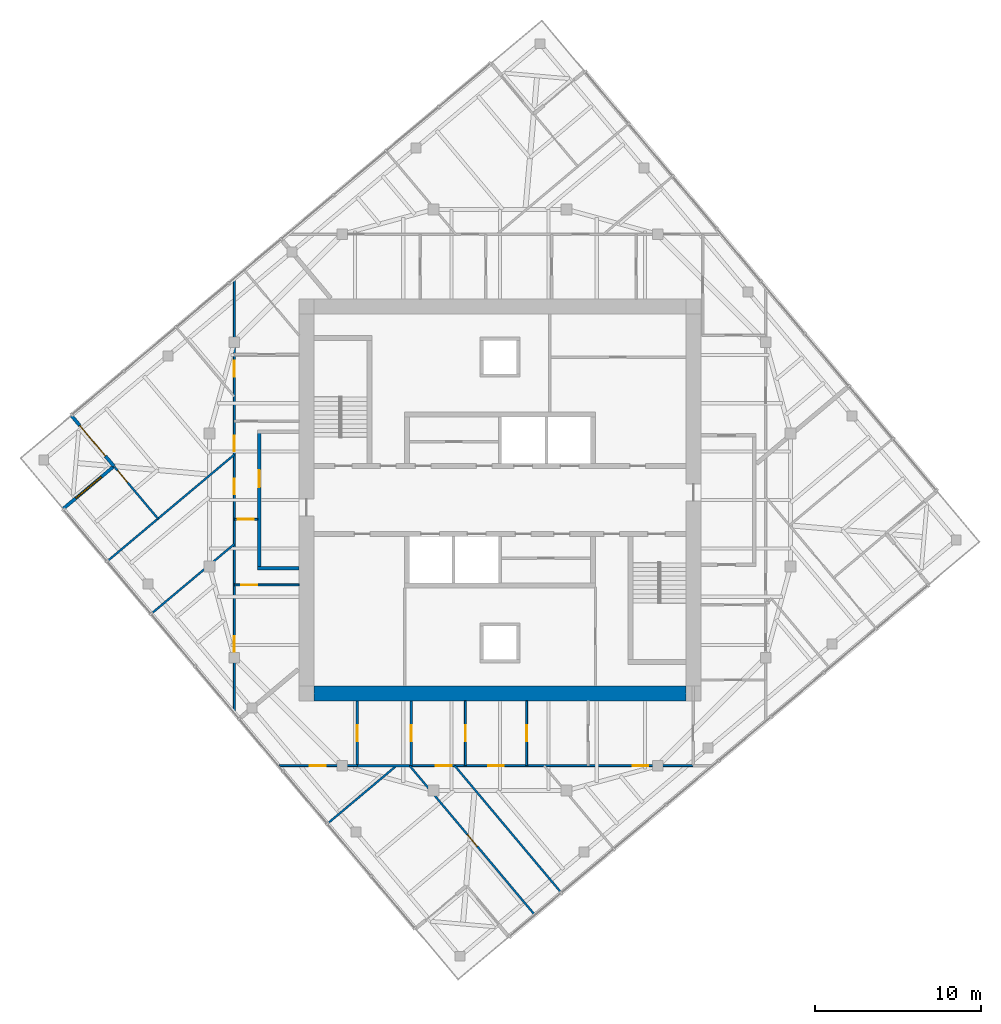
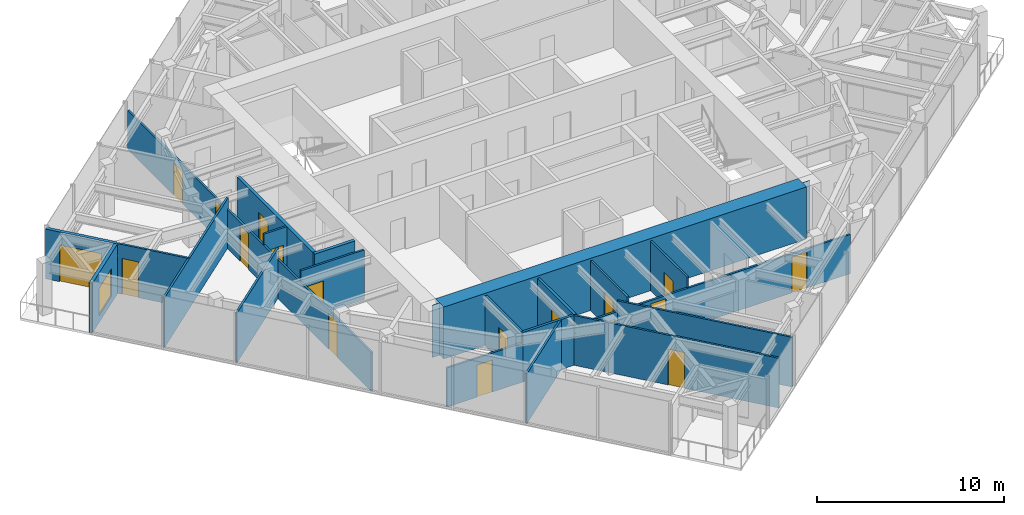
# One storey, part 7 of 12: 21 walls, 18 doors, 1 window, 19 openings.
"""IFC4 building model written with IfcOpenShell, lengths in metres."""

from ifc_helpers import new_model, si_unit, direction, frame, frame_2d, origin, place, context, subcontext, project, spatial, polyline, rectangle, outline, extrude, material, layer, layer_set, type_object, element, fill, save


model = new_model("IFC4")

# Units and contexts
model_context = context("Model", 3, precision=1e-05, world=origin(), true_north=direction((0.0, 1.0)))
body_context = subcontext(model_context, "Body", "Model", "MODEL_VIEW")
ifc_project = project(units=[si_unit("LENGTHUNIT", "METRE"), si_unit("AREAUNIT", "SQUARE_METRE"), si_unit("VOLUMEUNIT", "CUBIC_METRE"), si_unit("PLANEANGLEUNIT", "RADIAN"), si_unit("MASSUNIT", "GRAM", prefix="KILO")], contexts=[model_context])

# Site, building, storey
site_placement = place(None, origin())
site = spatial("IfcSite", under=ifc_project, at=site_placement, CompositionType="ELEMENT")
building_placement = place(site_placement, origin())
building = spatial("IfcBuilding", under=site, at=building_placement, Name="Torsade Residences", CompositionType="ELEMENT")
storey_placement = place(building_placement, frame((0.0, 0.0, 286.199951171875)))
storey = spatial("IfcBuildingStorey", under=building, at=storey_placement, Name="L79", CompositionType="ELEMENT", Elevation=286.199951171875)

# Wall
ifc_material_1 = material(Name="Concrete 80 MPa", Category="concrete")
ifc_layer_1 = layer(ifc_material_1, 0.89990234375)
ifc_layer_set_1 = layer_set([ifc_layer_1], Name="Concrete 80 MPa")
wall_type_1 = type_object("IfcWallType", Name="CORE WALL 900", PredefinedType="SHEAR", material=ifc_layer_set_1)
wall_1_placement = place(storey_placement, frame((51.199951171875, 18.35009765625, 0.0), z_axis=(0.0, 0.0, 1.0), x_axis=(-1.0, 0.0, 0.0)))
element("IfcWall", 1, at=wall_1_placement, inside=storey, type_object=wall_type_1, Name="Core wall S L79", PredefinedType="SHEAR", context=body_context, shape_type="SweptSolid", body=[
    extrude(outline(polyline([(0.0, -0.449951171875), (22.39990234375, -0.449951171875), (22.39990234375, -0.02490234375), (22.849853515625, -0.02490234375), (22.849853515625, 0.02490234375), (22.39990234375, 0.02490234375), (22.39990234375, 0.449951171875), (0.0, 0.449951171875), (0.0, 0.02490234375), (-0.449951171875, 0.02490234375), (-0.449951171875, -0.02490234375), (0.0, -0.02490234375), (0.0, -0.449951171875)])), origin(), (0.0, 0.0, 1.0), 3.400146484375),
])

# Wall, opening, door
ifc_material_2 = material(Name="Plasterboard on steel stud", Category="steel")
ifc_layer_2 = layer(ifc_material_2, 0.199951171875)
ifc_layer_set_2 = layer_set([ifc_layer_2], Name="Plasterboard on steel stud")
wall_type_2 = type_object("IfcWallType", Name="CORRIDOR WALL 200", PredefinedType="PARTITIONING", material=ifc_layer_set_2)
wall_2_placement = place(storey_placement, frame((25.5, 25.89990234375, 0.0), z_axis=(0.0, 0.0, 1.0), x_axis=(0.0, 1.0, 0.0)))
wall_2 = element("IfcWall", 2, at=wall_2_placement, inside=storey, type_object=wall_type_2, Name="Corridor wall L79", PredefinedType="PARTITIONING", context=body_context, shape_type="SweptSolid", body=[
    extrude(rectangle(XDim=8.2001953125, YDim=0.199951171875, at=frame_2d((4.10009765625, 0.0))), origin(), (0.0, 0.0, 1.0), 3.25),
])
opening_1_placement = place(wall_2_placement, frame((4.88232421875, 0.0, 0.0)))
opening_1 = element("IfcOpeningElement", 3, at=opening_1_placement, cuts=wall_2, Name="Opening D01", PredefinedType="OPENING", context=body_context, shape_type="SweptSolid", body=[
    extrude(rectangle(XDim=1.02001953125, YDim=2.340087890625, at=frame_2d((0.510009765625, 1.169921875))), frame((0.0, 0.10986328125, 0.0), z_axis=(0.0, -1.0, 0.0), x_axis=(1.0, 0.0, 0.0)), (0.0, 0.0, 1.0), 0.219970703125),
])
ifc_material_3 = material(Name="Solid-core timber fire door", Category="wood")
door_type_1 = type_object("IfcDoorType", Name="APARTMENT ENTRY DOOR 1020x2340", OperationType="NOTDEFINED", PredefinedType="DOOR", material=ifc_material_3)
door_1_placement = place(opening_1_placement, origin())
door_1 = element("IfcDoor", 4, at=door_1_placement, inside=storey, type_object=door_type_1, Name="Door Residential corridor to Kitchen and dining", OperationType="SINGLE_SWING_LEFT", OverallHeight=2.340087890625, OverallWidth=1.02001953125, PredefinedType="DOOR", context=body_context, shape_type="SweptSolid", body=[
    extrude(rectangle(XDim=1.02001953125, YDim=2.340087890625, at=frame_2d((0.510009765625, 1.169921875))), frame((0.0, 0.02490234375, 0.0), z_axis=(0.0, -1.0, 0.0), x_axis=(1.0, 0.0, 0.0)), (0.0, 0.0, 1.0), 0.050048828125),
])
fill(opening_1, door_1)

# Wall
wall_3_placement = place(storey_placement, frame((27.89990234375, 25.89990234375, 0.0), z_axis=(0.0, 0.0, 1.0), x_axis=(-1.0, 0.0, 0.0)))
element("IfcWall", 5, at=wall_3_placement, inside=storey, type_object=wall_type_2, Name="Corridor wall L79", PredefinedType="PARTITIONING", context=body_context, shape_type="SweptSolid", body=[
    extrude(rectangle(XDim=2.5, YDim=0.199951171875, at=frame_2d((1.25, 0.0))), origin(), (0.0, 0.0, 1.0), 3.25),
])

# Wall, opening, door
ifc_material_4 = material(Name="Plasterboard on steel stud", Category="steel")
ifc_layer_3 = layer(ifc_material_4, 0.1201171875)
ifc_layer_set_3 = layer_set([ifc_layer_3], Name="Plasterboard on steel stud")
wall_type_3 = type_object("IfcWallType", Name="PARTITION 120", PredefinedType="PARTITIONING", material=ifc_layer_set_3)
wall_4_placement = place(storey_placement, frame((31.410400390625, 14.0, 0.0), z_axis=(0.0, 0.0, 1.0), x_axis=(-1.0, 0.0, 0.0)))
wall_4 = element("IfcWall", 6, at=wall_4_placement, inside=storey, type_object=wall_type_3, Name="Partition L79", PredefinedType="PARTITIONING", context=body_context, shape_type="SweptSolid", body=[
    extrude(rectangle(XDim=4.693359375, YDim=0.1201171875, at=frame_2d((2.3466796875, 0.0))), origin(), (0.0, 0.0, 1.0), 2.550048828125),
])
opening_2_placement = place(wall_4_placement, frame((1.892822265625, 0.0, 0.0)))
opening_2 = element("IfcOpeningElement", 7, at=opening_2_placement, cuts=wall_4, Name="Opening D05", PredefinedType="OPENING", context=body_context, shape_type="SweptSolid", body=[
    extrude(rectangle(XDim=0.9599609375, YDim=2.10009765625, at=frame_2d((0.47998046875, 1.050048828125))), frame((0.0, 0.070068359375, 0.0), z_axis=(0.0, -1.0, 0.0), x_axis=(1.0, 0.0, 0.0)), (0.0, 0.0, 1.0), 0.14013671875),
])
ifc_material_5 = material(Name="Hollow-core timber door in a steel cavity frame", Category="steel")
door_type_2 = type_object("IfcDoorType", Name="BATHROOM CAVITY SLIDING DOOR 960", OperationType="SLIDING_TO_LEFT", PredefinedType="DOOR", material=ifc_material_5)
door_2_placement = place(opening_2_placement, origin())
door_2 = element("IfcDoor", 8, at=door_2_placement, inside=storey, type_object=door_type_2, Name="Door Bathroom to Media room", OperationType="SLIDING_TO_LEFT", OverallHeight=2.10009765625, OverallWidth=0.9599609375, PredefinedType="DOOR", context=body_context, shape_type="SweptSolid", body=[
    extrude(rectangle(XDim=0.9599609375, YDim=2.10009765625, at=frame_2d((0.47998046875, 1.050048828125))), frame((0.0, 0.02490234375, 0.0), z_axis=(0.0, -1.0, 0.0), x_axis=(1.0, 0.0, 0.0)), (0.0, 0.0, 1.0), 0.050048828125),
])
fill(opening_2, door_2)

wall_5_placement = place(storey_placement, frame((37.9189453125, 17.89990234375, 0.0), z_axis=(0.0, 0.0, 1.0), x_axis=(0.0, -1.0, 0.0)))
wall_5 = element("IfcWall", 9, at=wall_5_placement, inside=storey, type_object=wall_type_3, Name="Partition L79", PredefinedType="PARTITIONING", context=body_context, shape_type="SweptSolid", body=[
    extrude(rectangle(XDim=3.89990234375, YDim=0.1201171875, at=frame_2d((1.949951171875, 0.0))), origin(), (0.0, 0.0, 1.0), 3.25),
])
opening_3_placement = place(wall_5_placement, frame((1.469970703125, 0.0, 0.0)))
opening_3 = element("IfcOpeningElement", 10, at=opening_3_placement, cuts=wall_5, Name="Opening D05", PredefinedType="OPENING", context=body_context, shape_type="SweptSolid", body=[
    extrude(rectangle(XDim=0.9599609375, YDim=2.10009765625, at=frame_2d((0.47998046875, 1.050048828125))), frame((0.0, 0.070068359375, 0.0), z_axis=(0.0, -1.0, 0.0), x_axis=(1.0, 0.0, 0.0)), (0.0, 0.0, 1.0), 0.14013671875),
])
door_3_placement = place(opening_3_placement, origin())
door_3 = element("IfcDoor", 11, at=door_3_placement, inside=storey, type_object=door_type_2, Name="Door Dressing room 2 to WC", OperationType="SLIDING_TO_LEFT", OverallHeight=2.10009765625, OverallWidth=0.9599609375, PredefinedType="DOOR", context=body_context, shape_type="SweptSolid", body=[
    extrude(rectangle(XDim=0.9599609375, YDim=2.10009765625, at=frame_2d((0.47998046875, 1.050048828125))), frame((0.0, 0.02490234375, 0.0), z_axis=(0.0, -1.0, 0.0), x_axis=(1.0, 0.0, 0.0)), (0.0, 0.0, 1.0), 0.050048828125),
])
fill(opening_3, door_3)

# Wall, openings, doors
wall_6_placement = place(storey_placement, frame((51.624755859375, 14.0, 0.0), z_axis=(0.0, 0.0, 1.0), x_axis=(-1.0, 0.0, 0.0)))
wall_6 = element("IfcWall", 12, at=wall_6_placement, inside=storey, type_object=wall_type_3, Name="Partition L79", PredefinedType="PARTITIONING", context=body_context, shape_type="SweptSolid", body=[
    extrude(rectangle(XDim=17.06689453125, YDim=0.1201171875, at=frame_2d((8.533447265625, 0.0))), origin(), (0.0, 0.0, 1.0), 2.550048828125),
])
opening_4_placement = place(wall_6_placement, frame((2.701904296875, 0.0, 0.0)))
opening_4 = element("IfcOpeningElement", 13, at=opening_4_placement, cuts=wall_6, Name="Opening D02", PredefinedType="OPENING", context=body_context, shape_type="SweptSolid", body=[
    extrude(rectangle(XDim=0.919921875, YDim=2.340087890625, at=frame_2d((0.4599609375, 1.169921875))), frame((0.0, 0.070068359375, 0.0), z_axis=(0.0, -1.0, 0.0), x_axis=(1.0, 0.0, 0.0)), (0.0, 0.0, 1.0), 0.14013671875),
])
opening_5_placement = place(wall_6_placement, frame((11.400146484375, 0.0, 0.0)))
opening_5 = element("IfcOpeningElement", 14, at=opening_5_placement, cuts=wall_6, Name="Opening D02", PredefinedType="OPENING", context=body_context, shape_type="SweptSolid", body=[
    extrude(rectangle(XDim=0.919921875, YDim=2.340087890625, at=frame_2d((0.4599609375, 1.169921875))), frame((0.0, 0.070068359375, 0.0), z_axis=(0.0, -1.0, 0.0), x_axis=(1.0, 0.0, 0.0)), (0.0, 0.0, 1.0), 0.14013671875),
])
opening_6_placement = place(wall_6_placement, frame((14.544189453125, 0.0, 0.0)))
opening_6 = element("IfcOpeningElement", 15, at=opening_6_placement, cuts=wall_6, Name="Opening D05", PredefinedType="OPENING", context=body_context, shape_type="SweptSolid", body=[
    extrude(rectangle(XDim=0.9599609375, YDim=2.10009765625, at=frame_2d((0.47998046875, 1.050048828125))), frame((0.0, 0.070068359375, 0.0), z_axis=(0.0, -1.0, 0.0), x_axis=(1.0, 0.0, 0.0)), (0.0, 0.0, 1.0), 0.14013671875),
])
door_4_placement = place(opening_6_placement, origin())
door_4 = element("IfcDoor", 16, at=door_4_placement, inside=storey, type_object=door_type_2, Name="Door WC to Walk-in robe 2", OperationType="SLIDING_TO_LEFT", OverallHeight=2.10009765625, OverallWidth=0.9599609375, PredefinedType="DOOR", context=body_context, shape_type="SweptSolid", body=[
    extrude(rectangle(XDim=0.9599609375, YDim=2.10009765625, at=frame_2d((0.47998046875, 1.050048828125))), frame((0.0, 0.02490234375, 0.0), z_axis=(0.0, -1.0, 0.0), x_axis=(1.0, 0.0, 0.0)), (0.0, 0.0, 1.0), 0.050048828125),
])
fill(opening_6, door_4)
ifc_material_6 = material(Name="Hollow-core timber door", Category="wood")
door_type_3 = type_object("IfcDoorType", Name="INTERNAL DOOR 920x2340", OperationType="NOTDEFINED", PredefinedType="DOOR", material=ifc_material_6)
door_5_placement = place(opening_4_placement, origin())
door_5 = element("IfcDoor", 17, at=door_5_placement, inside=storey, type_object=door_type_3, Name="Door Walk-in robe to Bedroom 5", OperationType="SINGLE_SWING_LEFT", OverallHeight=2.340087890625, OverallWidth=0.919921875, PredefinedType="DOOR", context=body_context, shape_type="SweptSolid", body=[
    extrude(rectangle(XDim=0.919921875, YDim=2.340087890625, at=frame_2d((0.4599609375, 1.169921875))), frame((0.0, 0.02490234375, 0.0), z_axis=(0.0, -1.0, 0.0), x_axis=(1.0, 0.0, 0.0)), (0.0, 0.0, 1.0), 0.050048828125),
])
fill(opening_4, door_5)
door_6_placement = place(opening_5_placement, origin())
door_6 = element("IfcDoor", 18, at=door_6_placement, inside=storey, type_object=door_type_3, Name="Door Dressing room 2 to Bedroom 1", OperationType="SINGLE_SWING_RIGHT", OverallHeight=2.340087890625, OverallWidth=0.919921875, PredefinedType="DOOR", context=body_context, shape_type="SweptSolid", body=[
    extrude(rectangle(XDim=0.919921875, YDim=2.340087890625, at=frame_2d((0.4599609375, 1.169921875))), frame((0.0, 0.02490234375, 0.0), z_axis=(0.0, -1.0, 0.0), x_axis=(1.0, 0.0, 0.0)), (0.0, 0.0, 1.0), 0.050048828125),
])
fill(opening_5, door_6)

# Wall, opening, door
wall_7_placement = place(storey_placement, frame((41.610107421875, 14.0, 0.0), z_axis=(0.0, 0.0, 1.0), x_axis=(0.0, 1.0, 0.0)))
wall_7 = element("IfcWall", 19, at=wall_7_placement, inside=storey, type_object=wall_type_3, Name="Partition L79", PredefinedType="PARTITIONING", context=body_context, shape_type="SweptSolid", body=[
    extrude(rectangle(XDim=3.89990234375, YDim=0.1201171875, at=frame_2d((1.949951171875, 0.0))), origin(), (0.0, 0.0, 1.0), 3.25),
])
opening_7_placement = place(wall_7_placement, frame((1.469970703125, 0.0, 0.0)))
opening_7 = element("IfcOpeningElement", 20, at=opening_7_placement, cuts=wall_7, Name="Opening D05", PredefinedType="OPENING", context=body_context, shape_type="SweptSolid", body=[
    extrude(rectangle(XDim=0.9599609375, YDim=2.10009765625, at=frame_2d((0.47998046875, 1.050048828125))), frame((0.0, 0.070068359375, 0.0), z_axis=(0.0, -1.0, 0.0), x_axis=(1.0, 0.0, 0.0)), (0.0, 0.0, 1.0), 0.14013671875),
])
door_7_placement = place(opening_7_placement, origin())
door_7 = element("IfcDoor", 21, at=door_7_placement, inside=storey, type_object=door_type_2, Name="Door Ensuite to Dressing room 2", OperationType="SLIDING_TO_LEFT", OverallHeight=2.10009765625, OverallWidth=0.9599609375, PredefinedType="DOOR", context=body_context, shape_type="SweptSolid", body=[
    extrude(rectangle(XDim=0.9599609375, YDim=2.10009765625, at=frame_2d((0.47998046875, 1.050048828125))), frame((0.0, 0.02490234375, 0.0), z_axis=(0.0, -1.0, 0.0), x_axis=(1.0, 0.0, 0.0)), (0.0, 0.0, 1.0), 0.050048828125),
])
fill(opening_7, door_7)

wall_8_placement = place(storey_placement, frame((34.557861328125, 14.0, 0.0), z_axis=(0.0, 0.0, 1.0), x_axis=(0.642782931909, -0.766048368216, 0.0)))
wall_8 = element("IfcWall", 22, at=wall_8_placement, inside=storey, type_object=wall_type_3, Name="Partition L79", PredefinedType="PARTITIONING", context=body_context, shape_type="SweptSolid", body=[
    extrude(rectangle(XDim=11.701416015625, YDim=0.1201171875, at=frame_2d((5.8505859375, 0.0))), origin(), (0.0, 0.0, 1.0), 3.25),
])
opening_8_placement = place(wall_8_placement, frame((5.41064453125, 0.0, 0.0)))
opening_8 = element("IfcOpeningElement", 23, at=opening_8_placement, cuts=wall_8, Name="Opening D02", PredefinedType="OPENING", context=body_context, shape_type="SweptSolid", body=[
    extrude(rectangle(XDim=0.919921875, YDim=2.340087890625, at=frame_2d((0.4599609375, 1.169921875))), frame((0.0, 0.070068359375, 0.0), z_axis=(0.0, -1.0, 0.0), x_axis=(1.0, 0.0, 0.0)), (0.0, 0.0, 1.0), 0.14013671875),
])
door_8_placement = place(opening_8_placement, origin())
door_8 = element("IfcDoor", 24, at=door_8_placement, inside=storey, type_object=door_type_3, Name="Door Walk-in robe 2 to Living room", OperationType="SINGLE_SWING_LEFT", OverallHeight=2.340087890625, OverallWidth=0.919921875, PredefinedType="DOOR", context=body_context, shape_type="SweptSolid", body=[
    extrude(rectangle(XDim=0.919921875, YDim=2.340087890625, at=frame_2d((0.4599609375, 1.169921875))), frame((0.0, 0.02490234375, 0.0), z_axis=(0.0, -1.0, 0.0), x_axis=(1.0, 0.0, 0.0)), (0.0, 0.0, 1.0), 0.050048828125),
])
fill(opening_8, door_8)

# Walls
wall_9_placement = place(storey_placement, frame((29.629638671875, 10.528564453125, 0.0), z_axis=(0.0, 0.0, 1.0), x_axis=(0.766034275706, 0.642799726543, 0.0)))
element("IfcWall", 25, at=wall_9_placement, inside=storey, type_object=wall_type_3, Name="Partition L79", PredefinedType="PARTITIONING", context=body_context, shape_type="SweptSolid", body=[
    extrude(rectangle(XDim=5.400390625, YDim=0.1201171875, at=frame_2d((2.7001953125, 0.0))), origin(), (0.0, 0.0, 1.0), 3.25),
])
wall_10_placement = place(storey_placement, frame((43.671630859375, 6.372314453125, 0.0), z_axis=(0.0, 0.0, 1.0), x_axis=(-0.64278775678, 0.766044319693, 0.0)))
element("IfcWall", 26, at=wall_10_placement, inside=storey, type_object=wall_type_3, Name="Partition L79", PredefinedType="PARTITIONING", context=body_context, shape_type="SweptSolid", body=[
    extrude(rectangle(XDim=9.957275390625, YDim=0.1201171875, at=frame_2d((4.978515625, 0.0))), origin(), (0.0, 0.0, 1.0), 3.25),
])

# Wall, opening, door
wall_11_placement = place(storey_placement, frame((25.39990234375, 28.83447265625, 0.0), z_axis=(0.0, 0.0, 1.0), x_axis=(-1.0, 0.0, 0.0)))
wall_11 = element("IfcWall", 27, at=wall_11_placement, inside=storey, type_object=wall_type_3, Name="Partition L79", PredefinedType="PARTITIONING", context=body_context, shape_type="SweptSolid", body=[
    extrude(rectangle(XDim=1.39990234375, YDim=0.1201171875, at=frame_2d((0.699951171875, 0.0))), origin(), (0.0, 0.0, 1.0), 3.25),
])
opening_9_placement = place(wall_11_placement, frame((0.219970703125, 0.0, 0.0)))
opening_9 = element("IfcOpeningElement", 28, at=opening_9_placement, cuts=wall_11, Name="Opening D05", PredefinedType="OPENING", context=body_context, shape_type="SweptSolid", body=[
    extrude(rectangle(XDim=0.9599609375, YDim=2.10009765625, at=frame_2d((0.47998046875, 1.050048828125))), frame((0.0, 0.070068359375, 0.0), z_axis=(0.0, -1.0, 0.0), x_axis=(1.0, 0.0, 0.0)), (0.0, 0.0, 1.0), 0.14013671875),
])
door_9_placement = place(opening_9_placement, origin())
door_9 = element("IfcDoor", 29, at=door_9_placement, inside=storey, type_object=door_type_2, Name="Door Kitchen and dining to Bathroom", OperationType="SLIDING_TO_LEFT", OverallHeight=2.10009765625, OverallWidth=0.9599609375, PredefinedType="DOOR", context=body_context, shape_type="SweptSolid", body=[
    extrude(rectangle(XDim=0.9599609375, YDim=2.10009765625, at=frame_2d((0.47998046875, 1.050048828125))), frame((0.0, 0.02490234375, 0.0), z_axis=(0.0, -1.0, 0.0), x_axis=(1.0, 0.0, 0.0)), (0.0, 0.0, 1.0), 0.050048828125),
])
fill(opening_9, door_9)

# Wall, openings, doors
wall_12_placement = place(storey_placement, frame((24.0, 17.238037109375, 0.0), z_axis=(0.0, 0.0, 1.0), x_axis=(0.0, 1.0, 0.0)))
wall_12 = element("IfcWall", 30, at=wall_12_placement, inside=storey, type_object=wall_type_3, Name="Partition L79", PredefinedType="PARTITIONING", context=body_context, shape_type="SweptSolid", body=[
    extrude(rectangle(XDim=26.044921875, YDim=0.1201171875, at=frame_2d((13.0224609375, 0.0))), origin(), (0.0, 0.0, 1.0), 2.550048828125),
])
opening_10_placement = place(wall_12_placement, frame((13.116455078125, 0.0, 0.0)))
opening_10 = element("IfcOpeningElement", 31, at=opening_10_placement, cuts=wall_12, Name="Opening D02", PredefinedType="OPENING", context=body_context, shape_type="SweptSolid", body=[
    extrude(rectangle(XDim=0.919921875, YDim=2.340087890625, at=frame_2d((0.4599609375, 1.169921875))), frame((0.0, 0.070068359375, 0.0), z_axis=(0.0, -1.0, 0.0), x_axis=(1.0, 0.0, 0.0)), (0.0, 0.0, 1.0), 0.14013671875),
])
opening_11_placement = place(wall_12_placement, frame((15.705078125, 0.0, 0.0)))
opening_11 = element("IfcOpeningElement", 32, at=opening_11_placement, cuts=wall_12, Name="Opening D02", PredefinedType="OPENING", context=body_context, shape_type="SweptSolid", body=[
    extrude(rectangle(XDim=0.919921875, YDim=2.340087890625, at=frame_2d((0.4599609375, 1.169921875))), frame((0.0, 0.070068359375, 0.0), z_axis=(0.0, -1.0, 0.0), x_axis=(1.0, 0.0, 0.0)), (0.0, 0.0, 1.0), 0.14013671875),
])
opening_12_placement = place(wall_12_placement, frame((20.19091796875, 0.0, 0.0)))
opening_12 = element("IfcOpeningElement", 33, at=opening_12_placement, cuts=wall_12, Name="Opening D05", PredefinedType="OPENING", context=body_context, shape_type="SweptSolid", body=[
    extrude(rectangle(XDim=0.9599609375, YDim=2.10009765625, at=frame_2d((0.47998046875, 1.050048828125))), frame((0.0, 0.070068359375, 0.0), z_axis=(0.0, -1.0, 0.0), x_axis=(1.0, 0.0, 0.0)), (0.0, 0.0, 1.0), 0.14013671875),
])
opening_13_placement = place(wall_12_placement, frame((3.63134765625, 0.0, 0.0)))
opening_13 = element("IfcOpeningElement", 34, at=opening_13_placement, cuts=wall_12, Name="Opening D02", PredefinedType="OPENING", context=body_context, shape_type="SweptSolid", body=[
    extrude(rectangle(XDim=0.919921875, YDim=2.340087890625, at=frame_2d((0.4599609375, 1.169921875))), frame((0.0, 0.070068359375, 0.0), z_axis=(0.0, -1.0, 0.0), x_axis=(1.0, 0.0, 0.0)), (0.0, 0.0, 1.0), 0.14013671875),
])
door_10_placement = place(opening_12_placement, origin())
door_10 = element("IfcDoor", 35, at=door_10_placement, inside=storey, type_object=door_type_2, Name="Door Laundry to Bedroom 4", OperationType="SLIDING_TO_LEFT", OverallHeight=2.10009765625, OverallWidth=0.9599609375, PredefinedType="DOOR", context=body_context, shape_type="SweptSolid", body=[
    extrude(rectangle(XDim=0.9599609375, YDim=2.10009765625, at=frame_2d((0.47998046875, 1.050048828125))), frame((0.0, 0.02490234375, 0.0), z_axis=(0.0, -1.0, 0.0), x_axis=(1.0, 0.0, 0.0)), (0.0, 0.0, 1.0), 0.050048828125),
])
fill(opening_12, door_10)
door_11_placement = place(opening_10_placement, origin())
door_11 = element("IfcDoor", 36, at=door_11_placement, inside=storey, type_object=door_type_3, Name="Door Kitchen and dining to Bedroom 1", OperationType="SINGLE_SWING_RIGHT", OverallHeight=2.340087890625, OverallWidth=0.919921875, PredefinedType="DOOR", context=body_context, shape_type="SweptSolid", body=[
    extrude(rectangle(XDim=0.919921875, YDim=2.340087890625, at=frame_2d((0.4599609375, 1.169921875))), frame((0.0, 0.02490234375, 0.0), z_axis=(0.0, -1.0, 0.0), x_axis=(1.0, 0.0, 0.0)), (0.0, 0.0, 1.0), 0.050048828125),
])
fill(opening_10, door_11)
door_12_placement = place(opening_11_placement, origin())
door_12 = element("IfcDoor", 37, at=door_12_placement, inside=storey, type_object=door_type_3, Name="Door Kitchen and dining to Living room", OperationType="SINGLE_SWING_LEFT", OverallHeight=2.340087890625, OverallWidth=0.919921875, PredefinedType="DOOR", context=body_context, shape_type="SweptSolid", body=[
    extrude(rectangle(XDim=0.919921875, YDim=2.340087890625, at=frame_2d((0.4599609375, 1.169921875))), frame((0.0, 0.02490234375, 0.0), z_axis=(0.0, -1.0, 0.0), x_axis=(1.0, 0.0, 0.0)), (0.0, 0.0, 1.0), 0.050048828125),
])
fill(opening_11, door_12)
door_13_placement = place(opening_13_placement, origin())
door_13 = element("IfcDoor", 38, at=door_13_placement, inside=storey, type_object=door_type_3, Name="Door Study to Bedroom 2", OperationType="SINGLE_SWING_LEFT", OverallHeight=2.340087890625, OverallWidth=0.919921875, PredefinedType="DOOR", context=body_context, shape_type="SweptSolid", body=[
    extrude(rectangle(XDim=0.919921875, YDim=2.340087890625, at=frame_2d((0.4599609375, 1.169921875))), frame((0.0, 0.02490234375, 0.0), z_axis=(0.0, -1.0, 0.0), x_axis=(1.0, 0.0, 0.0)), (0.0, 0.0, 1.0), 0.050048828125),
])
fill(opening_13, door_13)

# Wall, opening, door
wall_13_placement = place(storey_placement, frame((27.89990234375, 24.8828125, 0.0), z_axis=(0.0, 0.0, 1.0), x_axis=(-1.0, 0.0, 0.0)))
wall_13 = element("IfcWall", 39, at=wall_13_placement, inside=storey, type_object=wall_type_3, Name="Partition L79", PredefinedType="PARTITIONING", context=body_context, shape_type="SweptSolid", body=[
    extrude(rectangle(XDim=3.89990234375, YDim=0.1201171875, at=frame_2d((1.949951171875, 0.0))), origin(), (0.0, 0.0, 1.0), 3.25),
])
opening_14_placement = place(wall_13_placement, frame((2.52001953125, 0.0, 0.0)))
opening_14 = element("IfcOpeningElement", 40, at=opening_14_placement, cuts=wall_13, Name="Opening D05", PredefinedType="OPENING", context=body_context, shape_type="SweptSolid", body=[
    extrude(rectangle(XDim=0.9599609375, YDim=2.10009765625, at=frame_2d((0.47998046875, 1.050048828125))), frame((0.0, 0.070068359375, 0.0), z_axis=(0.0, -1.0, 0.0), x_axis=(1.0, 0.0, 0.0)), (0.0, 0.0, 1.0), 0.14013671875),
])
door_14_placement = place(opening_14_placement, origin())
door_14 = element("IfcDoor", 41, at=door_14_placement, inside=storey, type_object=door_type_2, Name="Door Bathroom to Study", OperationType="SLIDING_TO_LEFT", OverallHeight=2.10009765625, OverallWidth=0.9599609375, PredefinedType="DOOR", context=body_context, shape_type="SweptSolid", body=[
    extrude(rectangle(XDim=0.9599609375, YDim=2.10009765625, at=frame_2d((0.47998046875, 1.050048828125))), frame((0.0, 0.02490234375, 0.0), z_axis=(0.0, -1.0, 0.0), x_axis=(1.0, 0.0, 0.0)), (0.0, 0.0, 1.0), 0.050048828125),
])
fill(opening_14, door_14)

# Wall
wall_14_placement = place(storey_placement, frame((24.0, 32.728759765625, 0.0), z_axis=(0.0, 0.0, 1.0), x_axis=(-0.766044319693, -0.64278775678, 0.0)))
element("IfcWall", 42, at=wall_14_placement, inside=storey, type_object=wall_type_3, Name="Partition L79", PredefinedType="PARTITIONING", context=body_context, shape_type="SweptSolid", body=[
    extrude(rectangle(XDim=9.957275390625, YDim=0.1201171875, at=frame_2d((4.978515625, 0.0))), origin(), (0.0, 0.0, 1.0), 3.25),
])

# Wall, opening, door
wall_15_placement = place(storey_placement, frame((19.40576171875, 28.873779296875, 0.0), z_axis=(0.0, 0.0, 1.0), x_axis=(-0.642767300664, 0.766061483953, 0.0)))
wall_15 = element("IfcWall", 43, at=wall_15_placement, inside=storey, type_object=wall_type_3, Name="Partition L79", PredefinedType="PARTITIONING", context=body_context, shape_type="SweptSolid", body=[
    extrude(rectangle(XDim=4.0849609375, YDim=0.1201171875, at=frame_2d((2.04248046875, 0.0))), origin(), (0.0, 0.0, 1.0), 3.25),
])
opening_15_placement = place(wall_15_placement, frame((2.8525390625, 0.0, 0.0)))
opening_15 = element("IfcOpeningElement", 44, at=opening_15_placement, cuts=wall_15, Name="Opening D02", PredefinedType="OPENING", context=body_context, shape_type="SweptSolid", body=[
    extrude(rectangle(XDim=0.919921875, YDim=2.340087890625, at=frame_2d((0.4599609375, 1.169921875))), frame((0.0, 0.070068359375, 0.0), z_axis=(0.0, -1.0, 0.0), x_axis=(1.0, 0.0, 0.0)), (0.0, 0.0, 1.0), 0.14013671875),
])
door_15_placement = place(opening_15_placement, origin())
door_15 = element("IfcDoor", 45, at=door_15_placement, inside=storey, type_object=door_type_3, Name="Door Living room to Bedroom 3", OperationType="SINGLE_SWING_LEFT", OverallHeight=2.340087890625, OverallWidth=0.919921875, PredefinedType="DOOR", context=body_context, shape_type="SweptSolid", body=[
    extrude(rectangle(XDim=0.919921875, YDim=2.340087890625, at=frame_2d((0.4599609375, 1.169921875))), frame((0.0, 0.02490234375, 0.0), z_axis=(0.0, -1.0, 0.0), x_axis=(1.0, 0.0, 0.0)), (0.0, 0.0, 1.0), 0.050048828125),
])
fill(opening_15, door_15)

# Wall
wall_16_placement = place(storey_placement, frame((24.0, 27.343994140625, 0.0), z_axis=(0.0, 0.0, 1.0), x_axis=(-0.766051249233, -0.642779498388, 0.0)))
element("IfcWall", 46, at=wall_16_placement, inside=storey, type_object=wall_type_3, Name="Partition L79", PredefinedType="PARTITIONING", context=body_context, shape_type="SweptSolid", body=[
    extrude(rectangle(XDim=6.49609375, YDim=0.1201171875, at=frame_2d((3.248046875, 0.0))), origin(), (0.0, 0.0, 1.0), 3.25),
])

# Wall, opening, door
ifc_material_7 = material(Name="Reinforced blockwork", Category="masonry")
ifc_layer_4 = layer(ifc_material_7, 0.14990234375)
ifc_layer_set_4 = layer_set([ifc_layer_4], Name="Reinforced blockwork")
wall_type_4 = type_object("IfcWallType", Name="SERVICE ROOM WALL 150", PredefinedType="SOLIDWALL", material=ifc_layer_set_4)
wall_17_placement = place(storey_placement, frame((31.410400390625, 17.89990234375, 0.0), z_axis=(0.0, 0.0, 1.0), x_axis=(0.0, -1.0, 0.0)))
wall_17 = element("IfcWall", 47, at=wall_17_placement, inside=storey, type_object=wall_type_4, Name="Service room wall L79", PredefinedType="SOLIDWALL", context=body_context, shape_type="SweptSolid", body=[
    extrude(rectangle(XDim=3.89990234375, YDim=0.14990234375, at=frame_2d((1.949951171875, 0.0))), origin(), (0.0, 0.0, 1.0), 3.25),
])
opening_16_placement = place(wall_17_placement, frame((1.469970703125, 0.0, 0.0)))
opening_16 = element("IfcOpeningElement", 48, at=opening_16_placement, cuts=wall_17, Name="Opening D05", PredefinedType="OPENING", context=body_context, shape_type="SweptSolid", body=[
    extrude(rectangle(XDim=0.9599609375, YDim=2.10009765625, at=frame_2d((0.47998046875, 1.050048828125))), frame((0.0, 0.0849609375, 0.0), z_axis=(0.0, -1.0, 0.0), x_axis=(1.0, 0.0, 0.0)), (0.0, 0.0, 1.0), 0.169921875),
])
door_16_placement = place(opening_16_placement, origin())
door_16 = element("IfcDoor", 49, at=door_16_placement, inside=storey, type_object=door_type_2, Name="Door Linen store to Bathroom", OperationType="SLIDING_TO_LEFT", OverallHeight=2.10009765625, OverallWidth=0.9599609375, PredefinedType="DOOR", context=body_context, shape_type="SweptSolid", body=[
    extrude(rectangle(XDim=0.9599609375, YDim=2.10009765625, at=frame_2d((0.47998046875, 1.050048828125))), frame((0.0, 0.02490234375, 0.0), z_axis=(0.0, -1.0, 0.0), x_axis=(1.0, 0.0, 0.0)), (0.0, 0.0, 1.0), 0.050048828125),
])
fill(opening_16, door_16)

wall_18_placement = place(storey_placement, frame((34.664794921875, 14.0, 0.0), z_axis=(0.0, 0.0, 1.0), x_axis=(0.0, 1.0, 0.0)))
wall_18 = element("IfcWall", 50, at=wall_18_placement, inside=storey, type_object=wall_type_4, Name="Service room wall L79", PredefinedType="SOLIDWALL", context=body_context, shape_type="SweptSolid", body=[
    extrude(rectangle(XDim=3.89990234375, YDim=0.14990234375, at=frame_2d((1.949951171875, 0.0))), origin(), (0.0, 0.0, 1.0), 3.25),
])
opening_17_placement = place(wall_18_placement, frame((1.469970703125, 0.0, 0.0)))
opening_17 = element("IfcOpeningElement", 51, at=opening_17_placement, cuts=wall_18, Name="Opening D05", PredefinedType="OPENING", context=body_context, shape_type="SweptSolid", body=[
    extrude(rectangle(XDim=0.9599609375, YDim=2.10009765625, at=frame_2d((0.47998046875, 1.050048828125))), frame((0.0, 0.0849609375, 0.0), z_axis=(0.0, -1.0, 0.0), x_axis=(1.0, 0.0, 0.0)), (0.0, 0.0, 1.0), 0.169921875),
])
door_17_placement = place(opening_17_placement, origin())
door_17 = element("IfcDoor", 52, at=door_17_placement, inside=storey, type_object=door_type_2, Name="Door WC to Linen store", OperationType="SLIDING_TO_LEFT", OverallHeight=2.10009765625, OverallWidth=0.9599609375, PredefinedType="DOOR", context=body_context, shape_type="SweptSolid", body=[
    extrude(rectangle(XDim=0.9599609375, YDim=2.10009765625, at=frame_2d((0.47998046875, 1.050048828125))), frame((0.0, 0.02490234375, 0.0), z_axis=(0.0, -1.0, 0.0), x_axis=(1.0, 0.0, 0.0)), (0.0, 0.0, 1.0), 0.050048828125),
])
fill(opening_17, door_17)

# Wall
wall_19_placement = place(storey_placement, frame((34.557861328125, 14.0, 0.0), z_axis=(0.0, 0.0, 1.0), x_axis=(-1.0, 0.0, 0.0)))
element("IfcWall", 53, at=wall_19_placement, inside=storey, type_object=wall_type_4, Name="Service room wall L79", PredefinedType="SOLIDWALL", context=body_context, shape_type="SweptSolid", body=[
    extrude(rectangle(XDim=3.1474609375, YDim=0.14990234375, at=frame_2d((1.57373046875, 0.0))), origin(), (0.0, 0.0, 1.0), 3.25),
])

# Wall, opening, door
ifc_material_8 = material(Name="Stone-faced precast concrete 40 MPa panel", Category="masonry")
ifc_layer_5 = layer(ifc_material_8, 0.199951171875)
ifc_layer_set_5 = layer_set([ifc_layer_5], Name="Stone-faced precast concrete 40 MPa panel")
wall_type_5 = type_object("IfcWallType", Name="TERRACE WALL 200", PredefinedType="SOLIDWALL", material=ifc_layer_set_5)
wall_20_placement = place(storey_placement, frame((14.18310546875, 35.097900390625, 0.0), z_axis=(0.0, 0.0, 1.0), x_axis=(0.642768287094, -0.766060656284, 0.0)))
wall_20 = element("IfcWall", 54, at=wall_20_placement, inside=storey, type_object=wall_type_5, Name="Terrace wall L79 8", PredefinedType="SOLIDWALL", context=body_context, shape_type="SweptSolid", body=[
    extrude(rectangle(XDim=4.0, YDim=0.199951171875, at=frame_2d((2.0, 0.0))), origin(), (0.0, 0.0, 1.0), 3.25),
])
opening_18_placement = place(wall_20_placement, frame((0.800048828125, 0.0, 0.0)))
opening_18 = element("IfcOpeningElement", 55, at=opening_18_placement, cuts=wall_20, Name="Opening D10", PredefinedType="OPENING", context=body_context, shape_type="SweptSolid", body=[
    extrude(rectangle(XDim=2.39990234375, YDim=2.39990234375, at=frame_2d((1.199951171875, 1.199951171875))), frame((0.0, 0.10986328125, 0.0), z_axis=(0.0, -1.0, 0.0), x_axis=(1.0, 0.0, 0.0)), (0.0, 0.0, 1.0), 0.219970703125),
])
ifc_material_9 = material(Name="Aluminium-framed glass door", Category="aluminium")
door_type_4 = type_object("IfcDoorType", Name="TERRACE SLIDING DOOR 2400", OperationType="SLIDING_TO_LEFT", PredefinedType="DOOR", material=ifc_material_9)
door_18_placement = place(opening_18_placement, origin())
door_18 = element("IfcDoor", 56, at=door_18_placement, inside=storey, type_object=door_type_4, Name="Terrace door L79 8", OperationType="SLIDING_TO_LEFT", OverallHeight=2.39990234375, OverallWidth=2.39990234375, PredefinedType="DOOR", context=body_context, shape_type="SweptSolid", body=[
    extrude(rectangle(XDim=2.39990234375, YDim=2.39990234375, at=frame_2d((1.199951171875, 1.199951171875))), frame((0.0, 0.02490234375, 0.0), z_axis=(0.0, -1.0, 0.0), x_axis=(1.0, 0.0, 0.0)), (0.0, 0.0, 1.0), 0.050048828125),
])
fill(opening_18, door_18)

# Wall, opening, window
wall_21_placement = place(storey_placement, frame((16.754150390625, 32.03369140625, 0.0), z_axis=(0.0, 0.0, 1.0), x_axis=(-0.766035437498, -0.642798342015, 0.0)))
wall_21 = element("IfcWall", 57, at=wall_21_placement, inside=storey, type_object=wall_type_5, Name="Terrace wall L79 9", PredefinedType="SOLIDWALL", context=body_context, shape_type="SweptSolid", body=[
    extrude(rectangle(XDim=3.999755859375, YDim=0.199951171875, at=frame_2d((2.0, 0.0))), origin(), (0.0, 0.0, 1.0), 3.25),
])
opening_19_placement = place(wall_21_placement, frame((1.0, 0.0, 0.449951171875)))
opening_19 = element("IfcOpeningElement", 58, at=opening_19_placement, cuts=wall_21, Name="Opening W1B", PredefinedType="OPENING", context=body_context, shape_type="SweptSolid", body=[
    extrude(rectangle(XDim=2.0, YDim=1.800048828125, at=frame_2d((1.0, 0.89990234375))), frame((0.0, 0.10986328125, 0.0), z_axis=(0.0, -1.0, 0.0), x_axis=(1.0, 0.0, 0.0)), (0.0, 0.0, 1.0), 0.219970703125),
])
ifc_material_10 = material(Name="Aluminium-framed glass window", Category="aluminium")
window_type = type_object("IfcWindowType", Name="TERRACE WINDOW 2000x1800", PartitioningType="SINGLE_PANEL", PredefinedType="WINDOW", material=ifc_material_10)
window_placement = place(opening_19_placement, origin())
window = element("IfcWindow", 59, at=window_placement, inside=storey, type_object=window_type, Name="Terrace window L79 9", OverallHeight=1.800048828125, OverallWidth=2.0, PartitioningType="SINGLE_PANEL", PredefinedType="WINDOW", context=body_context, shape_type="SweptSolid", body=[
    extrude(rectangle(XDim=2.0, YDim=1.800048828125, at=frame_2d((1.0, 0.89990234375))), frame((0.0, 0.030029296875, 0.0), z_axis=(0.0, -1.0, 0.0), x_axis=(1.0, 0.0, 0.0)), (0.0, 0.0, 1.0), 0.06005859375),
])
fill(opening_19, window)

save(model, "model.ifc")
